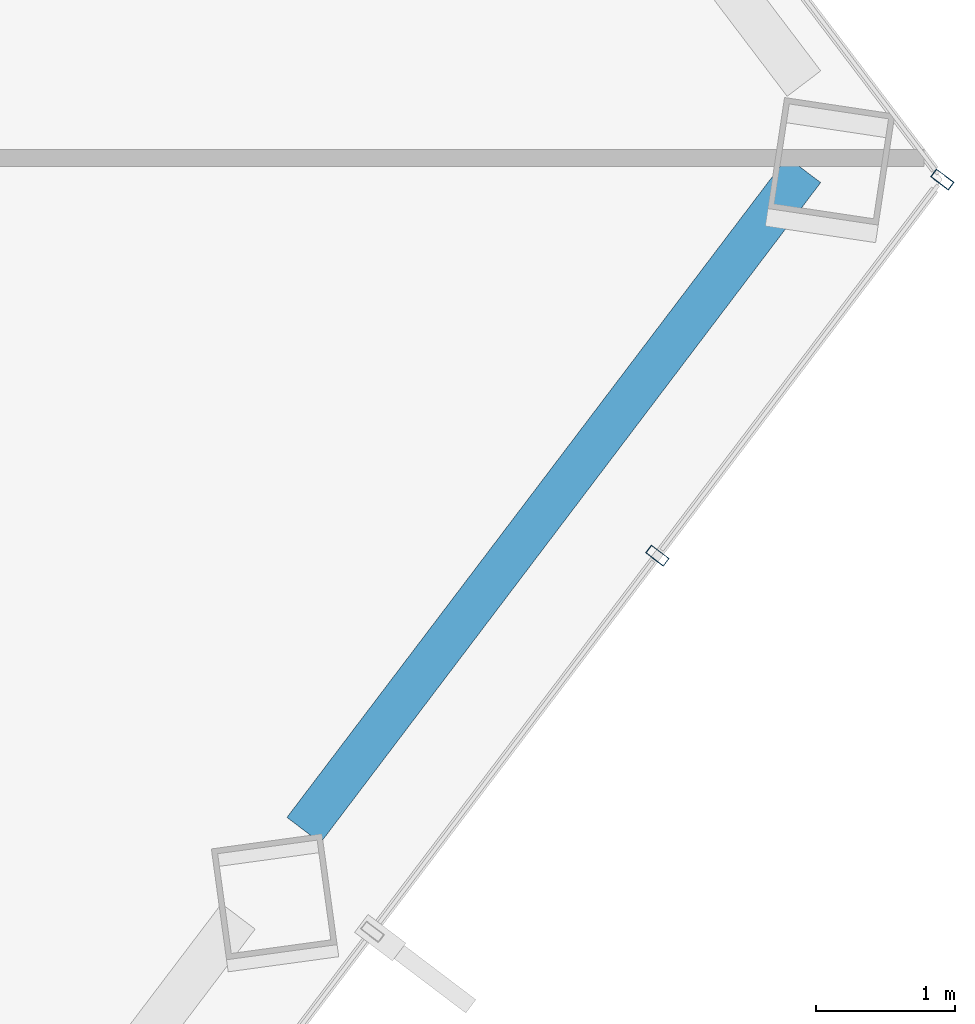
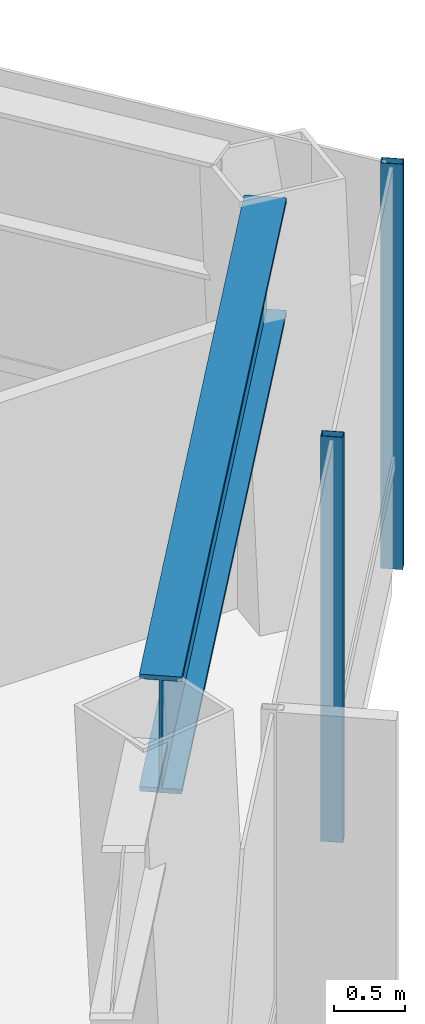
# One storey, part 21 of 28: 2 members, 1 beam, 1 element without a shape of its own.
"""IFC4 building model written with IfcOpenShell, lengths in metres."""

from ifc_helpers import new_model, si_unit, direction, frame, origin, origin_2d, place, context, subcontext, project, spatial, hollow_rectangle, i_section, extrude, material, layer, layer_set, material_profile, profile_set, type_object, element, aggregate, save


model = new_model("IFC4")

# Units and contexts
model_context = context("Model", 3, precision=1e-05, world=origin(), true_north=direction((0.0, 1.0)))
body_context = subcontext(model_context, "Body", "Model", "MODEL_VIEW")
ifc_project = project(units=[si_unit("LENGTHUNIT", "METRE"), si_unit("AREAUNIT", "SQUARE_METRE"), si_unit("VOLUMEUNIT", "CUBIC_METRE"), si_unit("PLANEANGLEUNIT", "RADIAN"), si_unit("MASSUNIT", "GRAM", prefix="KILO")], contexts=[model_context])

# Site, building, storey
site_placement = place(None, origin())
site = spatial("IfcSite", under=ifc_project, at=site_placement, CompositionType="ELEMENT")
building_placement = place(site_placement, origin())
building = spatial("IfcBuilding", under=site, at=building_placement, Name="Zarrinselat Tower", CompositionType="ELEMENT")
storey_placement = place(building_placement, frame((0.0, 0.0, 153.340087890625)))
storey = spatial("IfcBuildingStorey", under=building, at=storey_placement, Name="L37", CompositionType="ELEMENT", Elevation=153.340087890625)

# Beam
ifc_material_1 = material(Name="Steel S460M", Category="steel")
ifc_material_profile_1 = material_profile(ifc_material_1, i_section(OverallWidth=0.302001953125, OverallDepth=1.008056640625, WebThickness=0.02099609375, FlangeThickness=0.0400390625, at=origin_2d()), Name="HEM 1000")
ifc_profile_set_1 = profile_set([ifc_material_profile_1], Name="Steel S460M")
beam_type = type_object("IfcBeamType", Name="BM-HEM1000", PredefinedType="BEAM", material=ifc_profile_set_1)
beam_placement = place(storey_placement, frame((58.34619140625, 34.741943359375, 2.98583984375), z_axis=(0.603860062149, 0.797090349547, 0.0), x_axis=(-0.797090349547, 0.603860062149, 0.0)))
element("IfcBeam", 1, at=beam_placement, inside=storey, type_object=beam_type, Name="L37 Perimeter Spandrel Girder SP14", PredefinedType="BEAM", context=body_context, shape_type="SweptSolid", body=[
    extrude(i_section(OverallWidth=0.302001953125, OverallDepth=1.008056640625, WebThickness=0.02099609375, FlangeThickness=0.0400390625, at=origin_2d()), origin(), (0.0, 0.0, 1.0), 5.939453125),
])

# Curtain wall, members
ifc_material_2 = material(Name="Extruded Aluminium Alloy EN AW-6063 T6", Category="aluminium")
ifc_layer = layer(ifc_material_2, 0.175048828125)
ifc_layer_set = layer_set([ifc_layer], Name="Extruded Aluminium Alloy EN AW-6063 T6")
curtain_wall_type = type_object("IfcCurtainWallType", Name="CWS-HTL", PredefinedType="NOTDEFINED", material=ifc_layer_set)
curtain_wall_placement = place(storey_placement, origin())
curtain_wall = element("IfcCurtainWall", 2, at=curtain_wall_placement, inside=storey, type_object=curtain_wall_type, Name="L37 Unitised Curtain Wall CW-L37-E05", PredefinedType="NOTDEFINED")
ifc_material_3 = material(Name="Extruded Aluminium Alloy EN AW-6063 T6", Category="aluminium")
ifc_material_profile_2 = material_profile(ifc_material_3, hollow_rectangle(XDim=0.070068359375, YDim=0.159912109375, WallThickness=0.00390625, at=origin_2d()), Name="RHS 160x70x4")
ifc_profile_set_2 = profile_set([ifc_material_profile_2], Name="Extruded Aluminium Alloy EN AW-6063 T6")
member_type = type_object("IfcMemberType", Name="MEM-CW-MUL2", PredefinedType="MULLION", material=ifc_profile_set_2)
member_1_placement = place(storey_placement, frame((60.88232421875, 36.7099609375, 0.0), z_axis=(0.0, 0.0, 1.0), x_axis=(0.603857687995, 0.797092148154, 0.0)))
member_1 = element("IfcMember", 3, at=member_1_placement, type_object=member_type, Name="CW-L37-E05 Mullion 8", PredefinedType="MULLION", context=body_context, shape_type="SweptSolid", body=[
    extrude(hollow_rectangle(XDim=0.070068359375, YDim=0.159912109375, WallThickness=0.00390625, at=origin_2d()), origin(), (0.0, 0.0, 1.0), 3.489990234375),
])
member_2_placement = place(storey_placement, frame((62.925537109375, 39.406982421875, 0.0), z_axis=(0.0, 0.0, 1.0), x_axis=(0.603857687995, 0.797092148154, 0.0)))
member_2 = element("IfcMember", 4, at=member_2_placement, type_object=member_type, Name="CW-L37-E05 Mullion 9", PredefinedType="MULLION", context=body_context, shape_type="SweptSolid", body=[
    extrude(hollow_rectangle(XDim=0.070068359375, YDim=0.159912109375, WallThickness=0.00390625, at=origin_2d()), origin(), (0.0, 0.0, 1.0), 3.489990234375),
])
aggregate(curtain_wall, [member_1, member_2])

save(model, "model.ifc")
